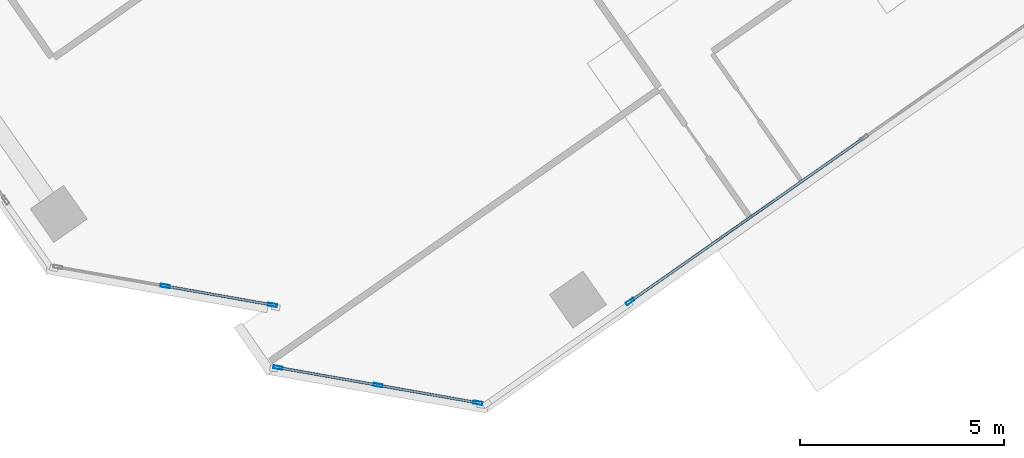
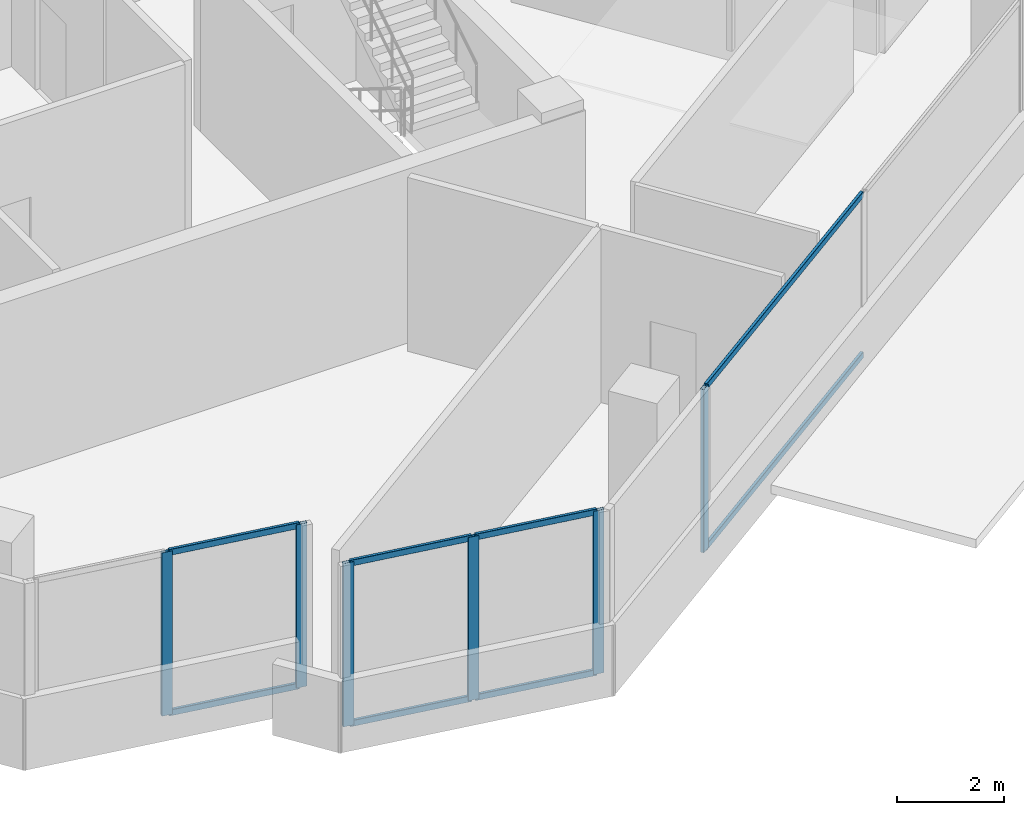
# One storey, part 4 of 17: 14 members, 3 elements without a shape of their own.
"""IFC4 building model written with IfcOpenShell, lengths in metres."""

from ifc_helpers import new_model, si_unit, direction, frame, origin, origin_2d, place, context, subcontext, project, spatial, hollow_rectangle, extrude, source, transform, mapped, material, material_profile, profile_set, type_object, element, aggregate, save


model = new_model("IFC4")

# Units and contexts
model_context = context("Model", 3, precision=1e-05, world=origin(), true_north=direction((0.0, 1.0)))
body_context = subcontext(model_context, "Body", "Model", "MODEL_VIEW")
ifc_project = project(units=[si_unit("LENGTHUNIT", "METRE"), si_unit("AREAUNIT", "SQUARE_METRE"), si_unit("VOLUMEUNIT", "CUBIC_METRE"), si_unit("PLANEANGLEUNIT", "RADIAN"), si_unit("MASSUNIT", "GRAM", prefix="KILO")], contexts=[model_context])

# Site, building, storey
site_placement = place(None, origin())
site = spatial("IfcSite", under=ifc_project, at=site_placement, CompositionType="ELEMENT")
building_placement = place(site_placement, origin())
building = spatial("IfcBuilding", under=site, at=building_placement, Name="Torre Montelarca", CompositionType="ELEMENT")
storey_placement = place(building_placement, frame((0.0, 0.0, 298.800048828125)))
storey = spatial("IfcBuildingStorey", under=building, at=storey_placement, Name="L67", CompositionType="ELEMENT", Elevation=298.800048828125)

# Curtain wall, members
ifc_material_1 = material(Name="Insulated low-E laminated glass", Category="glass")
curtain_wall_type = type_object("IfcCurtainWallType", Name="CW-SYS-Z4", PredefinedType="USERDEFINED", material=ifc_material_1)
curtain_wall_1_placement = place(storey_placement, origin())
curtain_wall_1 = element("IfcCurtainWall", 1, at=curtain_wall_1_placement, inside=storey, type_object=curtain_wall_type, Name="L67 Curtain Wall Run CW-T3-L67-E02-B1", ObjectType="UNITISED GLAZING", PredefinedType="USERDEFINED")
ifc_material_2 = material(Name="Anodised aluminium AA 6063-T6", Category="aluminium")
ifc_material_profile_1 = material_profile(ifc_material_2, hollow_rectangle(XDim=0.06494140625, YDim=0.139892578125, WallThickness=0.00390625, InnerFilletRadius=0.00390625, OuterFilletRadius=0.008056640625, at=origin_2d()), Name="ALU65X140X4", Category="aluminium")
ifc_profile_set_1 = profile_set([ifc_material_profile_1], Name="Anodised aluminium AA 6063-T6")
member_type_1 = type_object("IfcMemberType", Name="CWT-ALU140", PredefinedType="USERDEFINED", material=ifc_profile_set_1)
shared_shape_1 = source(origin(), body_context, "Body", "SweptSolid", [
    extrude(hollow_rectangle(XDim=0.06494140625, YDim=0.139892578125, WallThickness=0.00390625, InnerFilletRadius=0.00390625, OuterFilletRadius=0.008056640625, at=origin_2d()), origin(), (0.0, 0.0, 1.0), 2.59228515625),
])
member_1_placement = place(storey_placement, frame((13.20654296875, 15.859375, 0.032470703125), z_axis=(0.984805357071, -0.173661765175, 0.0), x_axis=(0.173661765175, 0.984805357071, 0.0)))
member_1 = element("IfcMember", 2, at=member_1_placement, type_object=member_type_1, Name="CW transom 2.1", ObjectType="TRANSOM", PredefinedType="USERDEFINED", context=body_context, shape_type="MappedRepresentation", body=[
    mapped(shared_shape_1, transform((0.0, 0.0, 0.0), scale=1.0)),
])
member_2_placement = place(storey_placement, frame((13.20654296875, 15.859375, 3.6875), z_axis=(0.984805357071, -0.173661765175, 0.0), x_axis=(0.173661765175, 0.984805357071, 0.0)))
member_2 = element("IfcMember", 3, at=member_2_placement, type_object=member_type_1, Name="CW transom 2.2", ObjectType="TRANSOM", PredefinedType="USERDEFINED", context=body_context, shape_type="MappedRepresentation", body=[
    mapped(shared_shape_1, transform((0.0, 0.0, 0.0), scale=1.0)),
])
ifc_material_profile_2 = material_profile(ifc_material_2, hollow_rectangle(XDim=0.074951171875, YDim=0.219970703125, WallThickness=0.0048828125, InnerFilletRadius=0.0048828125, OuterFilletRadius=0.010009765625, at=origin_2d()), Name="ALU75X220X5", Category="aluminium")
ifc_profile_set_2 = profile_set([ifc_material_profile_2], Name="Anodised aluminium AA 6063-T6")
member_type_2 = type_object("IfcMemberType", Name="CWM-ALU220", PredefinedType="MULLION", material=ifc_profile_set_2)
shared_shape_2 = source(origin(), body_context, "Body", "SweptSolid", [
    extrude(hollow_rectangle(XDim=0.074951171875, YDim=0.219970703125, WallThickness=0.0048828125, InnerFilletRadius=0.0048828125, OuterFilletRadius=0.010009765625, at=origin_2d()), origin(), (0.0, 0.0, 1.0), 3.719970703125),
])
member_3_placement = place(storey_placement, frame((13.16943359375, 15.865966796875, 0.0), z_axis=(0.0, 0.0, 1.0), x_axis=(0.17364192333, 0.9848088558, 0.0)))
member_3 = element("IfcMember", 4, at=member_3_placement, type_object=member_type_2, Name="CW mullion 2", PredefinedType="MULLION", context=body_context, shape_type="MappedRepresentation", body=[
    mapped(shared_shape_2, transform((0.0, 0.0, 0.0), scale=1.0)),
])
member_4_placement = place(storey_placement, frame((15.79638671875, 15.40283203125, 0.0), z_axis=(0.0, 0.0, 1.0), x_axis=(0.17364192333, 0.9848088558, 0.0)))
member_4 = element("IfcMember", 5, at=member_4_placement, type_object=member_type_2, Name="CW mullion 3", PredefinedType="MULLION", context=body_context, shape_type="MappedRepresentation", body=[
    mapped(shared_shape_2, transform((0.0, 0.0, 0.0), scale=1.0)),
])
aggregate(curtain_wall_1, [member_3, member_4, member_1, member_2])

curtain_wall_2_placement = place(storey_placement, origin())
curtain_wall_2 = element("IfcCurtainWall", 6, at=curtain_wall_2_placement, inside=storey, type_object=curtain_wall_type, Name="L67 Curtain Wall Run CW-T3-L67-E05-B1", ObjectType="UNITISED GLAZING", PredefinedType="USERDEFINED")
member_5_placement = place(storey_placement, frame((15.92529296875, 13.8720703125, 0.0), z_axis=(0.0, 0.0, 1.0), x_axis=(0.173634856638, 0.984810101776, 0.0)))
member_5 = element("IfcMember", 7, at=member_5_placement, type_object=member_type_2, Name="CW mullion 1", PredefinedType="MULLION", context=body_context, shape_type="MappedRepresentation", body=[
    mapped(shared_shape_2, transform((0.0, 0.0, 0.0), scale=1.0)),
])
member_6_placement = place(storey_placement, frame((18.37109375, 13.44091796875, 0.0), z_axis=(0.0, 0.0, 1.0), x_axis=(0.173634856638, 0.984810101776, 0.0)))
member_6 = element("IfcMember", 8, at=member_6_placement, type_object=member_type_2, Name="CW mullion 2", PredefinedType="MULLION", context=body_context, shape_type="MappedRepresentation", body=[
    mapped(shared_shape_2, transform((0.0, 0.0, 0.0), scale=1.0)),
])
member_7_placement = place(storey_placement, frame((20.81689453125, 13.009765625, 0.0), z_axis=(0.0, 0.0, 1.0), x_axis=(0.173634856638, 0.984810101776, 0.0)))
member_7 = element("IfcMember", 9, at=member_7_placement, type_object=member_type_2, Name="CW mullion 3", PredefinedType="MULLION", context=body_context, shape_type="MappedRepresentation", body=[
    mapped(shared_shape_2, transform((0.0, 0.0, 0.0), scale=1.0)),
])

# Curtain wall, member
curtain_wall_3_placement = place(storey_placement, origin())
curtain_wall_3 = element("IfcCurtainWall", 10, at=curtain_wall_3_placement, inside=storey, type_object=curtain_wall_type, Name="L67 Curtain Wall Run CW-T3-L67-E06-B1", ObjectType="UNITISED GLAZING", PredefinedType="USERDEFINED")
member_8_placement = place(storey_placement, frame((24.538818359375, 15.486572265625, 0.0), z_axis=(0.0, 0.0, 1.0), x_axis=(-0.573572283323, 0.819154952255, 0.0)))
member_8 = element("IfcMember", 11, at=member_8_placement, type_object=member_type_2, Name="CW mullion 1", PredefinedType="MULLION", context=body_context, shape_type="MappedRepresentation", body=[
    mapped(shared_shape_2, transform((0.0, 0.0, 0.0), scale=1.0)),
])

# Member
shared_shape_3 = source(origin(), body_context, "Body", "SweptSolid", [
    extrude(hollow_rectangle(XDim=0.06494140625, YDim=0.139892578125, WallThickness=0.00390625, InnerFilletRadius=0.00390625, OuterFilletRadius=0.008056640625, at=origin_2d()), origin(), (0.0, 0.0, 1.0), 2.40869140625),
])
member_9_placement = place(storey_placement, frame((15.962158203125, 13.86572265625, 0.032470703125), z_axis=(0.984811097241, -0.173629210537, 0.0), x_axis=(0.173629210537, 0.984811097241, 0.0)))
member_9 = element("IfcMember", 12, at=member_9_placement, type_object=member_type_1, Name="CW transom 1.1", ObjectType="TRANSOM", PredefinedType="USERDEFINED", context=body_context, shape_type="MappedRepresentation", body=[
    mapped(shared_shape_3, transform((0.0, 0.0, 0.0), scale=1.0)),
])

member_10_placement = place(storey_placement, frame((15.962158203125, 13.86572265625, 3.6875), z_axis=(0.984811097241, -0.173629210537, 0.0), x_axis=(0.173629210537, 0.984811097241, 0.0)))
member_10 = element("IfcMember", 13, at=member_10_placement, type_object=member_type_1, Name="CW transom 1.2", ObjectType="TRANSOM", PredefinedType="USERDEFINED", context=body_context, shape_type="MappedRepresentation", body=[
    mapped(shared_shape_3, transform((0.0, 0.0, 0.0), scale=1.0)),
])

member_11_placement = place(storey_placement, frame((18.407958984375, 13.434326171875, 0.032470703125), z_axis=(0.984811097241, -0.173629210537, 0.0), x_axis=(0.173629210537, 0.984811097241, 0.0)))
member_11 = element("IfcMember", 14, at=member_11_placement, type_object=member_type_1, Name="CW transom 2.1", ObjectType="TRANSOM", PredefinedType="USERDEFINED", context=body_context, shape_type="MappedRepresentation", body=[
    mapped(shared_shape_3, transform((0.0, 0.0, 0.0), scale=1.0)),
])

member_12_placement = place(storey_placement, frame((18.407958984375, 13.434326171875, 3.6875), z_axis=(0.984811097241, -0.173629210537, 0.0), x_axis=(0.173629210537, 0.984811097241, 0.0)))
member_12 = element("IfcMember", 15, at=member_12_placement, type_object=member_type_1, Name="CW transom 2.2", ObjectType="TRANSOM", PredefinedType="USERDEFINED", context=body_context, shape_type="MappedRepresentation", body=[
    mapped(shared_shape_3, transform((0.0, 0.0, 0.0), scale=1.0)),
])

aggregate(curtain_wall_2, [member_5, member_6, member_7, member_9, member_10, member_11, member_12])

shared_shape_4 = source(origin(), body_context, "Body", "SweptSolid", [
    extrude(hollow_rectangle(XDim=0.06494140625, YDim=0.139892578125, WallThickness=0.00390625, InnerFilletRadius=0.00390625, OuterFilletRadius=0.008056640625, at=origin_2d()), origin(), (0.0, 0.0, 1.0), 6.907470703125),
])
member_13_placement = place(storey_placement, frame((24.5693359375, 15.508056640625, 0.032470703125), z_axis=(0.819163836372, 0.573559595143, 0.0), x_axis=(-0.573559595143, 0.819163836372, 0.0)))
member_13 = element("IfcMember", 16, at=member_13_placement, type_object=member_type_1, Name="CW transom 1.1", ObjectType="TRANSOM", PredefinedType="USERDEFINED", context=body_context, shape_type="MappedRepresentation", body=[
    mapped(shared_shape_4, transform((0.0, 0.0, 0.0), scale=1.0)),
])

member_14_placement = place(storey_placement, frame((24.5693359375, 15.508056640625, 3.6875), z_axis=(0.819163836372, 0.573559595143, 0.0), x_axis=(-0.573559595143, 0.819163836372, 0.0)))
member_14 = element("IfcMember", 17, at=member_14_placement, type_object=member_type_1, Name="CW transom 1.2", ObjectType="TRANSOM", PredefinedType="USERDEFINED", context=body_context, shape_type="MappedRepresentation", body=[
    mapped(shared_shape_4, transform((0.0, 0.0, 0.0), scale=1.0)),
])

aggregate(curtain_wall_3, [member_8, member_13, member_14])

save(model, "model.ifc")
